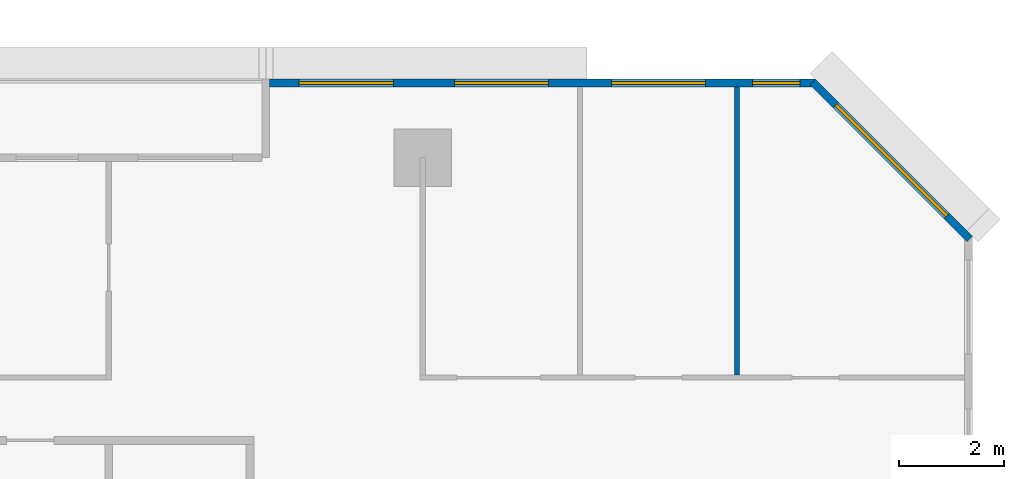
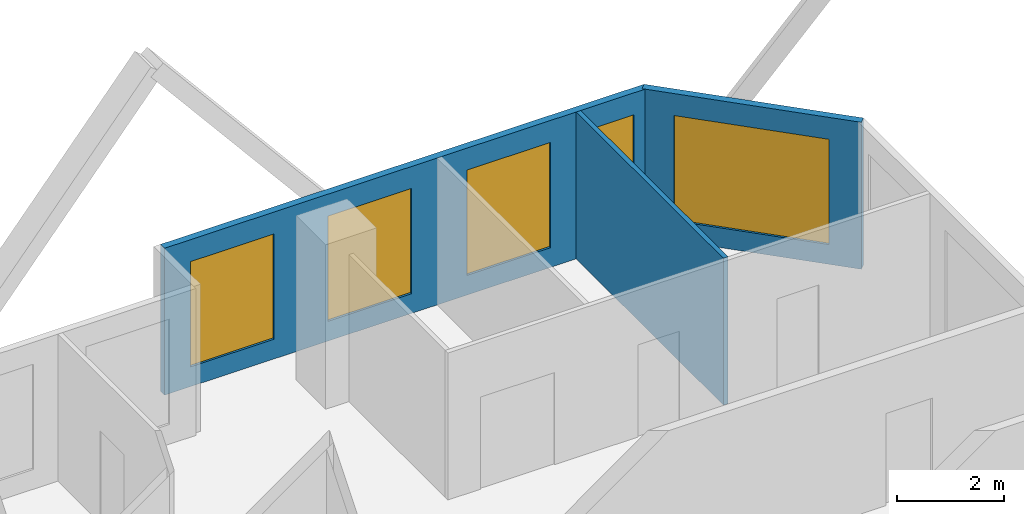
# One storey, part 12 of 15: 5 windows, 3 walls, 5 openings.
"""IFC4 building model written with IfcOpenShell, lengths in metres."""

from ifc_helpers import new_model, si_unit, direction, frame, frame_2d, origin, place, context, subcontext, project, spatial, rectangle, extrude, material, layer, layer_set, type_object, element, fill, save


model = new_model("IFC4")

# Units and contexts
model_context = context("Model", 3, precision=1e-05, world=origin(), true_north=direction((0.0, 1.0)))
body_context = subcontext(model_context, "Body", "Model", "MODEL_VIEW")
ifc_project = project(units=[si_unit("LENGTHUNIT", "METRE"), si_unit("AREAUNIT", "SQUARE_METRE"), si_unit("VOLUMEUNIT", "CUBIC_METRE"), si_unit("PLANEANGLEUNIT", "RADIAN"), si_unit("MASSUNIT", "GRAM", prefix="KILO")], contexts=[model_context])

# Site, building, storey
site_placement = place(None, origin())
site = spatial("IfcSite", under=ifc_project, at=site_placement, CompositionType="ELEMENT")
building_placement = place(site_placement, origin())
building = spatial("IfcBuilding", under=site, at=building_placement, Name="Chenar Terraces", CompositionType="ELEMENT")
storey_placement = place(building_placement, frame((0.0, 0.0, 63.89990234375)))
storey = spatial("IfcBuildingStorey", under=building, at=storey_placement, Name="L13", CompositionType="ELEMENT", Elevation=63.89990234375)

# Wall, openings, windows
ifc_material_1 = material(Name="Aluminium framed glazing", Category="aluminium")
ifc_layer_1 = layer(ifc_material_1, 0.14990234375)
ifc_layer_set_1 = layer_set([ifc_layer_1], Name="Aluminium framed glazing")
wall_type_1 = type_object("IfcWallType", Name="Glazed flush facade wall 150", PredefinedType="SOLIDWALL", material=ifc_layer_set_1)
wall_1_placement = place(storey_placement, frame((70.5, 25.425048828125, 0.0), z_axis=(0.0, 0.0, 1.0), x_axis=(-1.0, 0.0, 0.0)))
wall_1 = element("IfcWall", 1, at=wall_1_placement, inside=storey, type_object=wall_type_1, Name="Glazed flush facade wall", PredefinedType="SOLIDWALL", context=body_context, shape_type="SweptSolid", body=[
    extrude(rectangle(XDim=10.425048828125, YDim=0.14990234375, at=frame_2d((5.21240234375, 0.0))), origin(), (0.0, 0.0, 1.0), 3.35009765625),
])
opening_1_placement = place(wall_1_placement, frame((0.300048828125, 0.0, 0.449951171875)))
opening_1 = element("IfcOpeningElement", 2, at=opening_1_placement, cuts=wall_1, Name="Opening W90x240", PredefinedType="OPENING", context=body_context, shape_type="SweptSolid", body=[
    extrude(rectangle(XDim=0.89990234375, YDim=2.39990234375, at=frame_2d((0.449951171875, 1.199951171875))), frame((0.0, 0.0849609375, 0.0), z_axis=(0.0, -1.0, 0.0), x_axis=(1.0, 0.0, 0.0)), (0.0, 0.0, 1.0), 0.169921875),
])
opening_2_placement = place(wall_1_placement, frame((2.10009765625, 0.0, 0.449951171875)))
opening_2 = element("IfcOpeningElement", 3, at=opening_2_placement, cuts=wall_1, Name="Opening W180x240", PredefinedType="OPENING", context=body_context, shape_type="SweptSolid", body=[
    extrude(rectangle(XDim=1.800048828125, YDim=2.39990234375, at=frame_2d((0.89990234375, 1.199951171875))), frame((0.0, 0.0849609375, 0.0), z_axis=(0.0, -1.0, 0.0), x_axis=(1.0, 0.0, 0.0)), (0.0, 0.0, 1.0), 0.169921875),
])
opening_3_placement = place(wall_1_placement, frame((5.10009765625, 0.0, 0.449951171875)))
opening_3 = element("IfcOpeningElement", 4, at=opening_3_placement, cuts=wall_1, Name="Opening W180x240", PredefinedType="OPENING", context=body_context, shape_type="SweptSolid", body=[
    extrude(rectangle(XDim=1.800048828125, YDim=2.39990234375, at=frame_2d((0.89990234375, 1.199951171875))), frame((0.0, 0.0849609375, 0.0), z_axis=(0.0, -1.0, 0.0), x_axis=(1.0, 0.0, 0.0)), (0.0, 0.0, 1.0), 0.169921875),
])
opening_4_placement = place(wall_1_placement, frame((8.0625, 0.0, 0.449951171875)))
opening_4 = element("IfcOpeningElement", 5, at=opening_4_placement, cuts=wall_1, Name="Opening W180x240", PredefinedType="OPENING", context=body_context, shape_type="SweptSolid", body=[
    extrude(rectangle(XDim=1.800048828125, YDim=2.39990234375, at=frame_2d((0.89990234375, 1.199951171875))), frame((0.0, 0.0849609375, 0.0), z_axis=(0.0, -1.0, 0.0), x_axis=(1.0, 0.0, 0.0)), (0.0, 0.0, 1.0), 0.169921875),
])
ifc_material_2 = material(Name="Low emissivity double glazing, aluminium frame", Category="aluminium")
window_type_1 = type_object("IfcWindowType", Name="Fixed light 1800 x 2400", PartitioningType="SINGLE_PANEL", PredefinedType="WINDOW", material=ifc_material_2)
window_1_placement = place(opening_2_placement, origin())
window_1 = element("IfcWindow", 6, at=window_1_placement, inside=storey, type_object=window_type_1, Name="Window", OverallHeight=2.39990234375, OverallWidth=1.800048828125, PartitioningType="SINGLE_PANEL", PredefinedType="WINDOW", context=body_context, shape_type="SweptSolid", body=[
    extrude(rectangle(XDim=1.800048828125, YDim=2.39990234375, at=frame_2d((0.89990234375, 1.199951171875))), frame((0.0, 0.030029296875, 0.0), z_axis=(0.0, -1.0, 0.0), x_axis=(1.0, 0.0, 0.0)), (0.0, 0.0, 1.0), 0.06005859375),
])
fill(opening_2, window_1)
window_2_placement = place(opening_3_placement, origin())
window_2 = element("IfcWindow", 7, at=window_2_placement, inside=storey, type_object=window_type_1, Name="Window", OverallHeight=2.39990234375, OverallWidth=1.800048828125, PartitioningType="SINGLE_PANEL", PredefinedType="WINDOW", context=body_context, shape_type="SweptSolid", body=[
    extrude(rectangle(XDim=1.800048828125, YDim=2.39990234375, at=frame_2d((0.89990234375, 1.199951171875))), frame((0.0, 0.030029296875, 0.0), z_axis=(0.0, -1.0, 0.0), x_axis=(1.0, 0.0, 0.0)), (0.0, 0.0, 1.0), 0.06005859375),
])
fill(opening_3, window_2)
window_3_placement = place(opening_4_placement, origin())
window_3 = element("IfcWindow", 8, at=window_3_placement, inside=storey, type_object=window_type_1, Name="Window", OverallHeight=2.39990234375, OverallWidth=1.800048828125, PartitioningType="SINGLE_PANEL", PredefinedType="WINDOW", context=body_context, shape_type="SweptSolid", body=[
    extrude(rectangle(XDim=1.800048828125, YDim=2.39990234375, at=frame_2d((0.89990234375, 1.199951171875))), frame((0.0, 0.030029296875, 0.0), z_axis=(0.0, -1.0, 0.0), x_axis=(1.0, 0.0, 0.0)), (0.0, 0.0, 1.0), 0.06005859375),
])
fill(opening_4, window_3)
ifc_material_3 = material(Name="Low emissivity double glazing, aluminium frame", Category="aluminium")
window_type_2 = type_object("IfcWindowType", Name="Fixed light 900 x 2400", PartitioningType="SINGLE_PANEL", PredefinedType="WINDOW", material=ifc_material_3)
window_4_placement = place(opening_1_placement, origin())
window_4 = element("IfcWindow", 9, at=window_4_placement, inside=storey, type_object=window_type_2, Name="Window", OverallHeight=2.39990234375, OverallWidth=0.89990234375, PartitioningType="SINGLE_PANEL", PredefinedType="WINDOW", context=body_context, shape_type="SweptSolid", body=[
    extrude(rectangle(XDim=0.89990234375, YDim=2.39990234375, at=frame_2d((0.449951171875, 1.199951171875))), frame((0.0, 0.030029296875, 0.0), z_axis=(0.0, -1.0, 0.0), x_axis=(1.0, 0.0, 0.0)), (0.0, 0.0, 1.0), 0.06005859375),
])
fill(opening_1, window_4)

# Wall
ifc_material_4 = material(Name="Gypsum board on steel studs", Category="steel")
ifc_layer_2 = layer(ifc_material_4, 0.10009765625)
ifc_layer_set_2 = layer_set([ifc_layer_2], Name="Gypsum board on steel studs")
wall_type_2 = type_object("IfcWallType", Name="Gypsum partition 100", PredefinedType="PARTITIONING", material=ifc_layer_set_2)
wall_2_placement = place(storey_placement, frame((69.0, 19.85009765625, 0.0), z_axis=(0.0, 0.0, 1.0), x_axis=(0.0, 1.0, 0.0)))
element("IfcWall", 10, at=wall_2_placement, inside=storey, type_object=wall_type_2, Name="Partition L13-091", PredefinedType="PARTITIONING", context=body_context, shape_type="SweptSolid", body=[
    extrude(rectangle(XDim=5.5009765625, YDim=0.10009765625, at=frame_2d((2.75048828125, 0.0))), origin(), (0.0, 0.0, 1.0), 3.35009765625),
])

# Wall, opening, window
ifc_material_5 = material(Name="Terracotta cladding on insulated backing", Category="masonry")
ifc_layer_3 = layer(ifc_material_5, 0.14990234375)
ifc_layer_set_3 = layer_set([ifc_layer_3], Name="Terracotta cladding on insulated backing")
wall_type_3 = type_object("IfcWallType", Name="Terracotta rainscreen wall 150", PredefinedType="SOLIDWALL", material=ifc_layer_set_3)
wall_3_placement = place(storey_placement, frame((73.447021484375, 22.447021484375, 0.0), z_axis=(0.0, 0.0, 1.0), x_axis=(-0.707106781187, 0.707106781187, 0.0)))
wall_3 = element("IfcWall", 11, at=wall_3_placement, inside=storey, type_object=wall_type_3, Name="Terracotta rainscreen wall", PredefinedType="SOLIDWALL", context=body_context, shape_type="SweptSolid", body=[
    extrude(rectangle(XDim=4.24267578125, YDim=0.14990234375, at=frame_2d((2.121337890625, 0.0))), origin(), (0.0, 0.0, 1.0), 3.35009765625),
])
opening_5_placement = place(wall_3_placement, frame((0.621337890625, 0.0, 0.449951171875)))
opening_5 = element("IfcOpeningElement", 12, at=opening_5_placement, cuts=wall_3, Name="Opening W300x240", PredefinedType="OPENING", context=body_context, shape_type="SweptSolid", body=[
    extrude(rectangle(XDim=3.0, YDim=2.39990234375, at=frame_2d((1.5, 1.199951171875))), frame((0.0, 0.0849609375, 0.0), z_axis=(0.0, -1.0, 0.0), x_axis=(1.0, 0.0, 0.0)), (0.0, 0.0, 1.0), 0.169921875),
])
ifc_material_6 = material(Name="Low emissivity double glazing, aluminium frame", Category="aluminium")
window_type_3 = type_object("IfcWindowType", Name="Fixed light 3000 x 2400", PartitioningType="SINGLE_PANEL", PredefinedType="WINDOW", material=ifc_material_6)
window_5_placement = place(opening_5_placement, origin())
window_5 = element("IfcWindow", 13, at=window_5_placement, inside=storey, type_object=window_type_3, Name="Window", OverallHeight=2.39990234375, OverallWidth=3.0, PartitioningType="SINGLE_PANEL", PredefinedType="WINDOW", context=body_context, shape_type="SweptSolid", body=[
    extrude(rectangle(XDim=3.0, YDim=2.39990234375, at=frame_2d((1.5, 1.199951171875))), frame((0.0, 0.030029296875, 0.0), z_axis=(0.0, -1.0, 0.0), x_axis=(1.0, 0.0, 0.0)), (0.0, 0.0, 1.0), 0.06005859375),
])
fill(opening_5, window_5)

save(model, "model.ifc")
